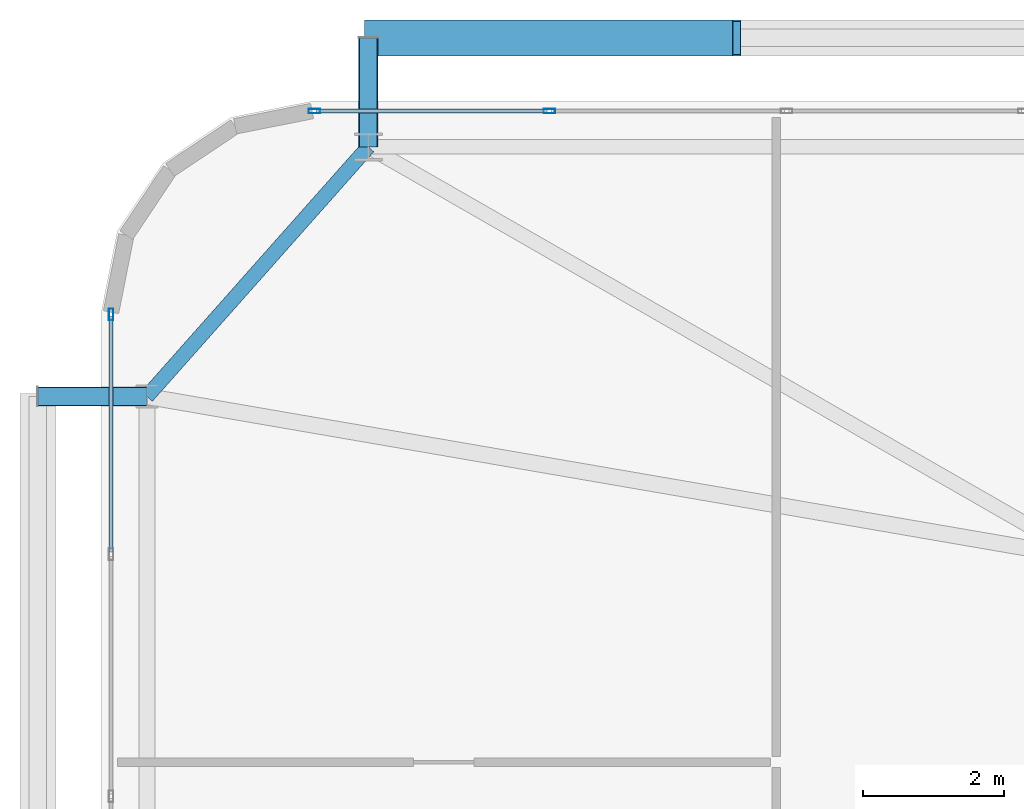
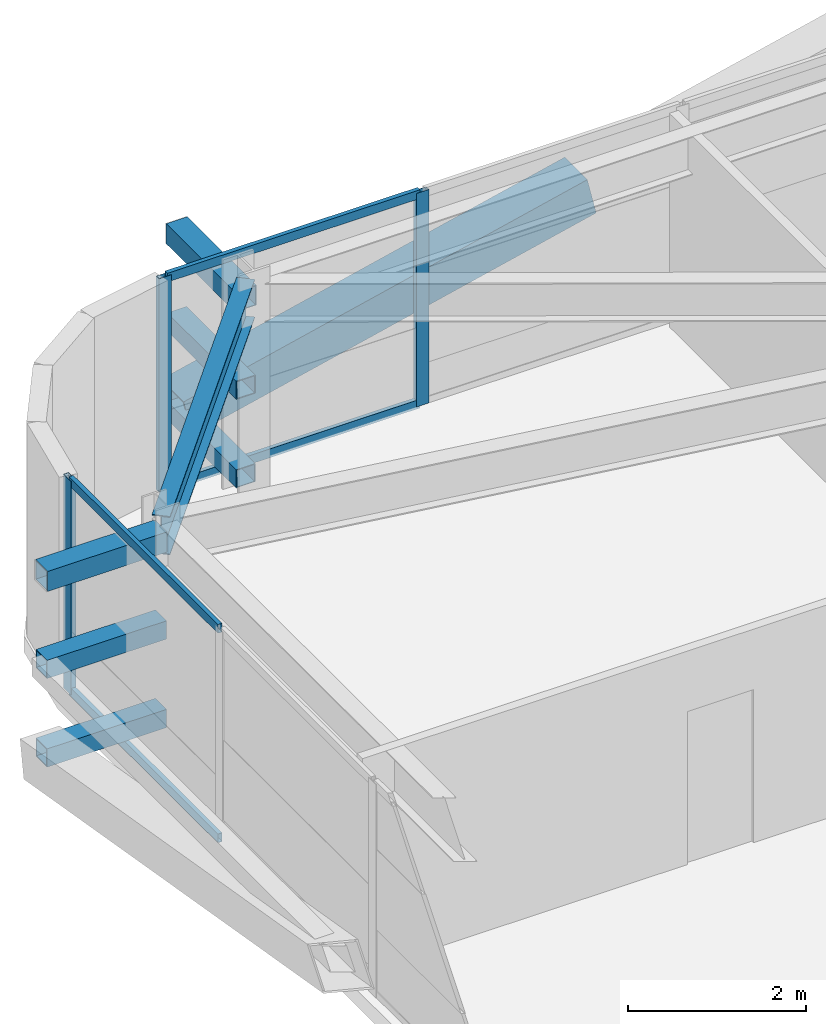
# One storey, part 33 of 59: 14 members, 1 beam, 2 elements without a shape of their own.
"""IFC4 building model written with IfcOpenShell, lengths in metres."""

from ifc_helpers import new_model, si_unit, direction, frame, origin, origin_2d, place, context, subcontext, project, spatial, hollow_rectangle, i_section, extrude, source, transform, mapped, material, layer, layer_set, material_profile, profile_set, type_object, element, aggregate, save


model = new_model("IFC4")

# Units and contexts
model_context = context("Model", 3, precision=1e-05, world=origin(), true_north=direction((0.0, 1.0)))
body_context = subcontext(model_context, "Body", "Model", "MODEL_VIEW")
ifc_project = project(units=[si_unit("LENGTHUNIT", "METRE"), si_unit("AREAUNIT", "SQUARE_METRE"), si_unit("VOLUMEUNIT", "CUBIC_METRE"), si_unit("PLANEANGLEUNIT", "RADIAN"), si_unit("MASSUNIT", "GRAM", prefix="KILO")], contexts=[model_context])

# Site, building, storey
site_placement = place(None, origin())
site = spatial("IfcSite", under=ifc_project, at=site_placement, CompositionType="ELEMENT")
building_placement = place(site_placement, origin())
building = spatial("IfcBuilding", under=site, at=building_placement, Name="Taldren Reach Tower", CompositionType="ELEMENT")
storey_placement = place(building_placement, frame((0.0, 0.0, 48.300048828125)))
storey = spatial("IfcBuildingStorey", under=building, at=storey_placement, Name="L14", CompositionType="ELEMENT", Elevation=48.300048828125)

# Beam
ifc_material_1 = material(Name="Steel Gr 350 (350PLUS)", Category="steel")
ifc_material_profile_1 = material_profile(ifc_material_1, i_section(OverallWidth=0.208984375, OverallDepth=0.528076171875, WebThickness=0.009521484375, FlangeThickness=0.01318359375, at=origin_2d()), Name="530UB82.0")
ifc_profile_set_1 = profile_set([ifc_material_profile_1], Name="Steel Gr 350 (350PLUS)")
beam_type = type_object("IfcBeamType", Name="SP-UB530B", PredefinedType="SPANDREL", material=ifc_profile_set_1)
shared_shape_1 = source(origin(), body_context, "Body", "SweptSolid", [
    extrude(i_section(OverallWidth=0.208984375, OverallDepth=0.528076171875, WebThickness=0.009521484375, FlangeThickness=0.01318359375, at=origin_2d()), origin(), (0.0, 0.0, 1.0), 4.74609375),
])
beam_placement = place(storey_placement, frame((8.800048828125, 37.85009765625, 2.666015625), z_axis=(-0.663721843779, -0.747979487747, 0.0), x_axis=(0.747979487747, -0.663721843779, 0.0)))
element("IfcBeam", 1, at=beam_placement, inside=storey, type_object=beam_type, Name="Perimeter spandrel B1 N1-W3 L14", PredefinedType="SPANDREL", context=body_context, shape_type="MappedRepresentation", body=[
    mapped(shared_shape_1, transform((0.0, 0.0, 0.0), scale=1.0)),
])

# Members
ifc_material_2 = material(Name="Steel Gr 450 (C450L0)", Category="steel")
ifc_material_profile_2 = material_profile(ifc_material_2, hollow_rectangle(XDim=0.27490234375, YDim=0.27490234375, WallThickness=0.00927734375, at=origin_2d()), Name="275x275x9.3SHS")
ifc_profile_set_2 = profile_set([ifc_material_profile_2], Name="Steel Gr 450 (C450L0)")
member_type_1 = type_object("IfcMemberType", Name="MB-TIE273", PredefinedType="STRUT", material=ifc_profile_set_2)
shared_shape_2 = source(origin(), body_context, "Body", "SweptSolid", [
    extrude(hollow_rectangle(XDim=0.27490234375, YDim=0.27490234375, WallThickness=0.00927734375, at=origin_2d()), origin(), (0.0, 0.0, 1.0), 1.5498046875),
])
for number, where, z_axis, x_axis, name in (
    (2, (8.800048828125, 37.85009765625, 2.64990234375), (0.0, 1.0, 0.0), (-1.0, 0.0, 0.0), "Exoskeleton diaphragm tie strut B1-N1 L14"),
    (3, (5.64990234375, 34.300048828125, 2.64990234375), (-1.0, 0.0, 0.0), (0.0, -1.0, 0.0), "Exoskeleton diaphragm tie strut B1-W3 L14"),
):
    element("IfcMember", number, at=place(storey_placement, frame(where, z_axis=z_axis, x_axis=x_axis)), inside=storey, type_object=member_type_1, Name=name, PredefinedType="STRUT", context=body_context, shape_type="MappedRepresentation", body=[
        mapped(shared_shape_2, transform((0.0, 0.0, 0.0), scale=1.0)),
    ])
ifc_material_profile_3 = material_profile(ifc_material_2, hollow_rectangle(XDim=0.510009765625, YDim=0.510009765625, WallThickness=0.02001953125, at=origin_2d()), Name="510x510x20.0SHS")
ifc_profile_set_3 = profile_set([ifc_material_profile_3], Name="Steel Gr 450 (C450L0)")
member_type_2 = type_object("IfcMemberType", Name="MB-EXO508", PredefinedType="BRACE", material=ifc_profile_set_3)
shared_shape_3 = source(origin(), body_context, "Body", "SweptSolid", [
    extrude(hollow_rectangle(XDim=0.510009765625, YDim=0.510009765625, WallThickness=0.02001953125, at=origin_2d()), origin(), (0.0, 0.0, 1.0), 5.37890625),
])
member_1_placement = place(storey_placement, frame((8.800048828125, 39.39990234375, 0.219970703125), z_axis=(0.97415197996, 0.0, 0.225893603143), x_axis=(0.0, 1.0, 0.0)))
element("IfcMember", 4, at=member_1_placement, inside=storey, type_object=member_type_2, Name="Exoskeleton Diagrid Brace B1-N1 L14", PredefinedType="BRACE", context=body_context, shape_type="MappedRepresentation", body=[
    mapped(shared_shape_3, transform((0.0, 0.0, 0.0), scale=1.0)),
])
ifc_material_3 = material(Name="Steel Gr 350 (C350L0)", Category="steel")
ifc_material_profile_4 = material_profile(ifc_material_3, hollow_rectangle(XDim=0.25, YDim=0.25, WallThickness=0.010009765625, at=origin_2d()), Name="250x250x10.0SHS")
ifc_profile_set_4 = profile_set([ifc_material_profile_4], Name="Steel Gr 350 (C350L0)")
member_type_3 = type_object("IfcMemberType", Name="MB-POST250", PredefinedType="POST", material=ifc_profile_set_4)
shared_shape_4 = source(origin(), body_context, "Body", "SweptSolid", [
    extrude(hollow_rectangle(XDim=0.25, YDim=0.25, WallThickness=0.010009765625, at=origin_2d()), origin(), (0.0, 0.0, 1.0), 1.5498046875),
])
for number, where, z_axis, x_axis, name in (
    (5, (8.800048828125, 37.85009765625, 0.219970703125), (0.0, 1.0, 0.0), (-1.0, 0.0, 0.0), "Exoskeleton base diaphragm tie strut B1-N1 L14"),
    (6, (5.64990234375, 34.300048828125, 0.219970703125), (-1.0, 0.0, 0.0), (0.0, -1.0, 0.0), "Exoskeleton base diaphragm tie strut B1-W3 L14"),
    (7, (8.800048828125, 37.85009765625, 1.43505859375), (0.0, 1.0, 0.0), (-1.0, 0.0, 0.0), "Exoskeleton mid-tier diaphragm tie B1-N1 L14"),
    (8, (5.64990234375, 34.300048828125, 1.43505859375), (-1.0, 0.0, 0.0), (0.0, -1.0, 0.0), "Exoskeleton mid-tier diaphragm tie B1-W3 L14"),
):
    element("IfcMember", number, at=place(storey_placement, frame(where, z_axis=z_axis, x_axis=x_axis)), inside=storey, type_object=member_type_3, Name=name, PredefinedType="POST", context=body_context, shape_type="MappedRepresentation", body=[
        mapped(shared_shape_4, transform((0.0, 0.0, 0.0), scale=1.0)),
    ])

# Curtain wall, members
ifc_material_4 = material(Name="Aluminium and Low-E Glass Unitised System", Category="aluminium")
ifc_layer = layer(ifc_material_4, 0.159912109375)
ifc_layer_set = layer_set([ifc_layer], Name="Aluminium and Low-E Glass Unitised System")
curtain_wall_type = type_object("IfcCurtainWallType", Name="CW-SYS-2", PredefinedType="NOTDEFINED", material=ifc_layer_set)
curtain_wall_1_placement = place(storey_placement, origin())
curtain_wall_1 = element("IfcCurtainWall", 9, at=curtain_wall_1_placement, inside=storey, type_object=curtain_wall_type, Name="Unitised curtain wall CW-L14-N", PredefinedType="NOTDEFINED")
ifc_material_5 = material(Name="Anodised Aluminium 6063-T6", Category="aluminium")
ifc_material_profile_5 = material_profile(ifc_material_5, hollow_rectangle(XDim=0.06494140625, YDim=0.1650390625, WallThickness=0.00390625, at=origin_2d()), Name="ALU-165x65x4RHS")
ifc_profile_set_5 = profile_set([ifc_material_profile_5], Name="Anodised Aluminium 6063-T6")
member_type_4 = type_object("IfcMemberType", Name="CW-MUL-165", PredefinedType="MULLION", material=ifc_profile_set_5)
shared_shape_5 = source(origin(), body_context, "Body", "SweptSolid", [
    extrude(hollow_rectangle(XDim=0.06494140625, YDim=0.1650390625, WallThickness=0.00390625, at=origin_2d()), origin(), (0.0, 0.0, 1.0), 2.929931640625),
])
member_2_placement = place(storey_placement, frame((11.375, 38.360107421875, 0.0), z_axis=(0.0, 0.0, 1.0), x_axis=(0.0, -1.0, 0.0)))
member_2 = element("IfcMember", 10, at=member_2_placement, type_object=member_type_4, Name="CW-2 mullion 16", PredefinedType="MULLION", context=body_context, shape_type="MappedRepresentation", body=[
    mapped(shared_shape_5, transform((0.0, 0.0, 0.0), scale=1.0)),
])
member_3_placement = place(storey_placement, frame((8.032470703125, 38.360107421875, 0.0), z_axis=(0.0, 0.0, 1.0), x_axis=(0.0, -1.0, 0.0)))
member_3 = element("IfcMember", 11, at=member_3_placement, type_object=member_type_4, Name="CW-2 mullion 17", PredefinedType="MULLION", context=body_context, shape_type="MappedRepresentation", body=[
    mapped(shared_shape_5, transform((0.0, 0.0, 0.0), scale=1.0)),
])

# Curtain wall, member
curtain_wall_2_placement = place(storey_placement, origin())
curtain_wall_2 = element("IfcCurtainWall", 12, at=curtain_wall_2_placement, inside=storey, type_object=curtain_wall_type, Name="Unitised curtain wall CW-L14-W", PredefinedType="NOTDEFINED")
member_4_placement = place(storey_placement, frame((5.139892578125, 35.467529296875, 0.0), z_axis=(0.0, 0.0, 1.0), x_axis=(1.0, 0.0, 0.0)))
member_4 = element("IfcMember", 13, at=member_4_placement, type_object=member_type_4, Name="CW-2 mullion 1", PredefinedType="MULLION", context=body_context, shape_type="MappedRepresentation", body=[
    mapped(shared_shape_5, transform((0.0, 0.0, 0.0), scale=1.0)),
])

# Member
ifc_material_profile_6 = material_profile(ifc_material_5, hollow_rectangle(XDim=0.054931640625, YDim=0.1201171875, WallThickness=0.0029296875, at=origin_2d()), Name="ALU-120x55x3RHS")
ifc_profile_set_6 = profile_set([ifc_material_profile_6], Name="Anodised Aluminium 6063-T6")
member_type_5 = type_object("IfcMemberType", Name="CW-TRN-135", PredefinedType="USERDEFINED", material=ifc_profile_set_6)
shared_shape_6 = source(origin(), body_context, "Body", "SweptSolid", [
    extrude(hollow_rectangle(XDim=0.054931640625, YDim=0.1201171875, WallThickness=0.0029296875, at=origin_2d()), origin(), (0.0, 0.0, 1.0), 3.277587890625),
])
member_5_placement = place(storey_placement, frame((11.342529296875, 38.360107421875, 0.02734375), z_axis=(-1.0, 0.0, 0.0), x_axis=(0.0, -1.0, 0.0)))
member_5 = element("IfcMember", 14, at=member_5_placement, type_object=member_type_5, Name="CW-2 transom 16.1", ObjectType="TRANSOM", PredefinedType="USERDEFINED", context=body_context, shape_type="MappedRepresentation", body=[
    mapped(shared_shape_6, transform((0.0, 0.0, 0.0), scale=1.0)),
])

member_6_placement = place(storey_placement, frame((11.342529296875, 38.360107421875, 2.90234375), z_axis=(-1.0, 0.0, 0.0), x_axis=(0.0, -1.0, 0.0)))
member_6 = element("IfcMember", 15, at=member_6_placement, type_object=member_type_5, Name="CW-2 transom 16.2", ObjectType="TRANSOM", PredefinedType="USERDEFINED", context=body_context, shape_type="MappedRepresentation", body=[
    mapped(shared_shape_6, transform((0.0, 0.0, 0.0), scale=1.0)),
])

aggregate(curtain_wall_1, [member_2, member_3, member_5, member_6])

shared_shape_7 = source(origin(), body_context, "Body", "SweptSolid", [
    extrude(hollow_rectangle(XDim=0.054931640625, YDim=0.1201171875, WallThickness=0.0029296875, at=origin_2d()), origin(), (0.0, 0.0, 1.0), 3.346923828125),
])
member_7_placement = place(storey_placement, frame((5.139892578125, 35.43505859375, 0.02734375), z_axis=(0.0, -1.0, 0.0), x_axis=(1.0, 0.0, 0.0)))
member_7 = element("IfcMember", 16, at=member_7_placement, type_object=member_type_5, Name="CW-2 transom 1.1", ObjectType="TRANSOM", PredefinedType="USERDEFINED", context=body_context, shape_type="MappedRepresentation", body=[
    mapped(shared_shape_7, transform((0.0, 0.0, 0.0), scale=1.0)),
])

member_8_placement = place(storey_placement, frame((5.139892578125, 35.43505859375, 2.90234375), z_axis=(0.0, -1.0, 0.0), x_axis=(1.0, 0.0, 0.0)))
member_8 = element("IfcMember", 17, at=member_8_placement, type_object=member_type_5, Name="CW-2 transom 1.2", ObjectType="TRANSOM", PredefinedType="USERDEFINED", context=body_context, shape_type="MappedRepresentation", body=[
    mapped(shared_shape_7, transform((0.0, 0.0, 0.0), scale=1.0)),
])

aggregate(curtain_wall_2, [member_4, member_7, member_8])

save(model, "model.ifc")
